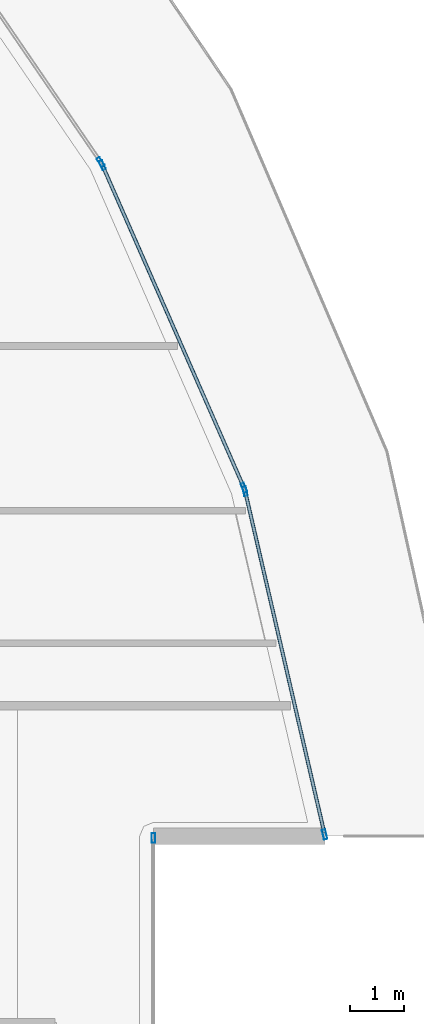
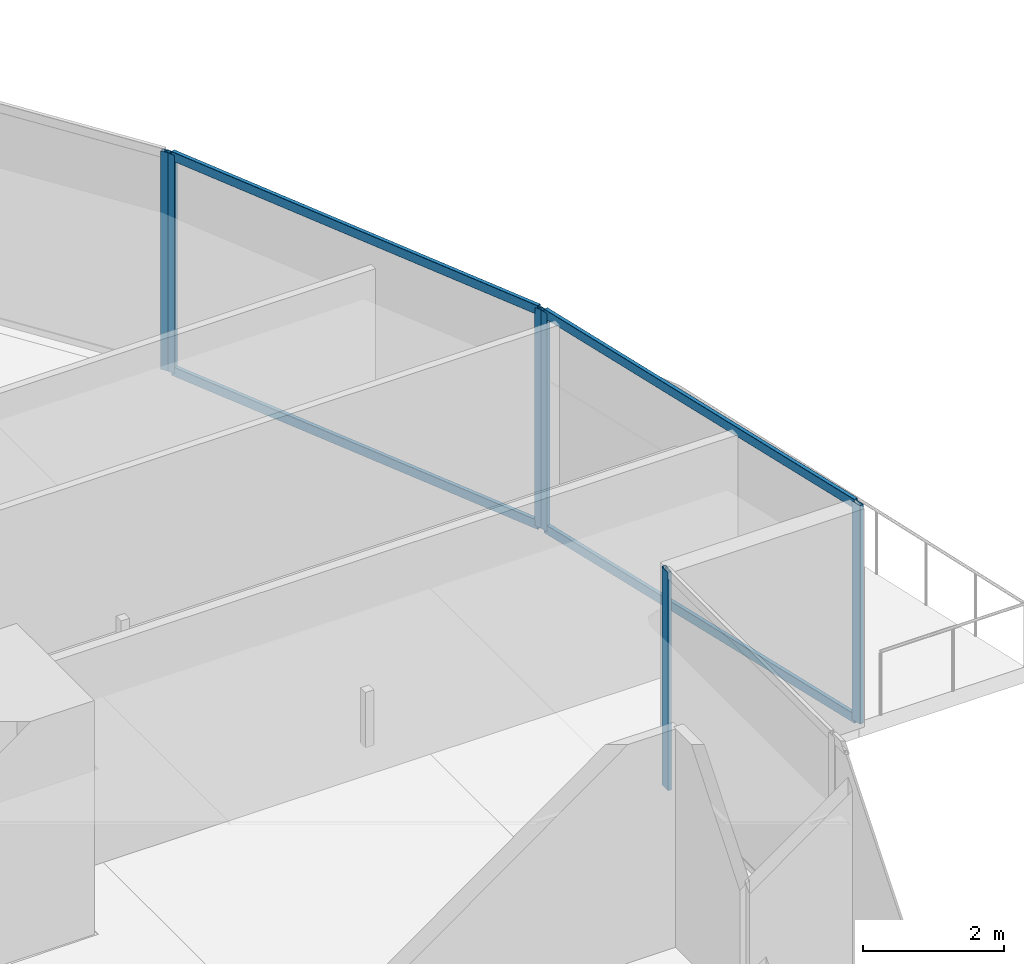
# One storey, part 20 of 39: 10 members, 4 elements without a shape of their own.
"""IFC4 building model written with IfcOpenShell, lengths in metres."""

from ifc_helpers import new_model, si_unit, direction, frame, origin, origin_2d, place, context, subcontext, project, spatial, hollow_rectangle, extrude, material, layer, layer_set, material_profile, profile_set, type_object, element, aggregate, save


model = new_model("IFC4")

# Units and contexts
model_context = context("Model", 3, precision=1e-05, world=origin(), true_north=direction((0.0, 1.0)))
body_context = subcontext(model_context, "Body", "Model", "MODEL_VIEW")
ifc_project = project(units=[si_unit("LENGTHUNIT", "METRE"), si_unit("AREAUNIT", "SQUARE_METRE"), si_unit("VOLUMEUNIT", "CUBIC_METRE"), si_unit("PLANEANGLEUNIT", "RADIAN"), si_unit("MASSUNIT", "GRAM", prefix="KILO")], contexts=[model_context])

# Site, building, storey
site_placement = place(None, origin())
site = spatial("IfcSite", under=ifc_project, at=site_placement, CompositionType="ELEMENT")
building_placement = place(site_placement, origin())
building = spatial("IfcBuilding", under=site, at=building_placement, Name="Qorvath Tower", CompositionType="ELEMENT")
storey_placement = place(building_placement, frame((0.0, 0.0, 162.449951171875)))
storey = spatial("IfcBuildingStorey", under=building, at=storey_placement, Name="L37", CompositionType="ELEMENT", Elevation=162.449951171875)

# Curtain wall, member
ifc_material_1 = material(Name="Anodised aluminium and triple low-E glass", Category="aluminium")
ifc_layer = layer(ifc_material_1, 0.179931640625)
ifc_layer_set = layer_set([ifc_layer], Name="CW-SYS-3")
curtain_wall_type = type_object("IfcCurtainWallType", Name="CW-SYS-3", PredefinedType="NOTDEFINED", material=ifc_layer_set)
curtain_wall_1_placement = place(storey_placement, origin())
curtain_wall_1 = element("IfcCurtainWall", 1, at=curtain_wall_1_placement, inside=storey, type_object=curtain_wall_type, Name="Curtain Wall CW-3 CW-T-L37-9.1", PredefinedType="NOTDEFINED")
ifc_material_2 = material(Name="Anodised aluminium 6063-T6", Category="aluminium")
ifc_material_profile_1 = material_profile(ifc_material_2, hollow_rectangle(XDim=0.06494140625, YDim=0.179931640625, WallThickness=0.00341796875, InnerFilletRadius=0.00341796875, OuterFilletRadius=0.007080078125, at=origin_2d()), Name="CWM 180x65")
ifc_profile_set_1 = profile_set([ifc_material_profile_1], Name="Anodised aluminium 6063-T6")
member_type_1 = type_object("IfcMemberType", Name="CWM-180", PredefinedType="MULLION", material=ifc_profile_set_1)
member_1_placement = place(storey_placement, frame((0.077880859375, 4.719482421875, 0.0), z_axis=(0.0, 0.0, 1.0), x_axis=(-1.0, 0.0, 0.0)))
member_1 = element("IfcMember", 2, at=member_1_placement, type_object=member_type_1, Name="CW-3 mullion 3", PredefinedType="MULLION", context=body_context, shape_type="SweptSolid", body=[
    extrude(hollow_rectangle(XDim=0.06494140625, YDim=0.179931640625, WallThickness=0.00341796875, InnerFilletRadius=0.00341796875, OuterFilletRadius=0.007080078125, at=origin_2d()), origin(), (0.0, 0.0, 1.0), 3.780029296875),
])
aggregate(curtain_wall_1, [member_1])

# Curtain wall, members
curtain_wall_2_placement = place(storey_placement, origin())
curtain_wall_2 = element("IfcCurtainWall", 3, at=curtain_wall_2_placement, inside=storey, type_object=curtain_wall_type, Name="Curtain Wall CW-3 CW-T-L37-11.1", PredefinedType="NOTDEFINED")
member_2_placement = place(storey_placement, frame((3.23876953125, 4.78369140625, 0.0), z_axis=(0.0, 0.0, 1.0), x_axis=(-0.974183272316, -0.225758614319, 0.0)))
member_2 = element("IfcMember", 4, at=member_2_placement, type_object=member_type_1, Name="CW-3 mullion 1", PredefinedType="MULLION", context=body_context, shape_type="SweptSolid", body=[
    extrude(hollow_rectangle(XDim=0.06494140625, YDim=0.179931640625, WallThickness=0.00341796875, InnerFilletRadius=0.00341796875, OuterFilletRadius=0.007080078125, at=origin_2d()), origin(), (0.0, 0.0, 1.0), 3.780029296875),
])
member_3_placement = place(storey_placement, frame((1.77001953125, 11.121337890625, 0.0), z_axis=(0.0, 0.0, 1.0), x_axis=(-0.974183272316, -0.225758614319, 0.0)))
member_3 = element("IfcMember", 5, at=member_3_placement, type_object=member_type_1, Name="CW-3 mullion 2", PredefinedType="MULLION", context=body_context, shape_type="SweptSolid", body=[
    extrude(hollow_rectangle(XDim=0.06494140625, YDim=0.179931640625, WallThickness=0.00341796875, InnerFilletRadius=0.00341796875, OuterFilletRadius=0.007080078125, at=origin_2d()), origin(), (0.0, 0.0, 1.0), 3.780029296875),
])

curtain_wall_3_placement = place(storey_placement, origin())
curtain_wall_3 = element("IfcCurtainWall", 6, at=curtain_wall_3_placement, inside=storey, type_object=curtain_wall_type, Name="Curtain Wall CW-3 CW-T-L37-12.1", PredefinedType="NOTDEFINED")
member_4_placement = place(storey_placement, frame((1.749755859375, 11.182861328125, 0.0), z_axis=(0.0, 0.0, 1.0), x_axis=(-0.915662747354, -0.401947425802, 0.0)))
member_4 = element("IfcMember", 7, at=member_4_placement, type_object=member_type_1, Name="CW-3 mullion 1", PredefinedType="MULLION", context=body_context, shape_type="SweptSolid", body=[
    extrude(hollow_rectangle(XDim=0.06494140625, YDim=0.179931640625, WallThickness=0.00341796875, InnerFilletRadius=0.00341796875, OuterFilletRadius=0.007080078125, at=origin_2d()), origin(), (0.0, 0.0, 1.0), 3.780029296875),
])
member_5_placement = place(storey_placement, frame((-0.865234375, 17.139892578125, 0.0), z_axis=(0.0, 0.0, 1.0), x_axis=(-0.915662747354, -0.401947425802, 0.0)))
member_5 = element("IfcMember", 8, at=member_5_placement, type_object=member_type_1, Name="CW-3 mullion 2", PredefinedType="MULLION", context=body_context, shape_type="SweptSolid", body=[
    extrude(hollow_rectangle(XDim=0.06494140625, YDim=0.179931640625, WallThickness=0.00341796875, InnerFilletRadius=0.00341796875, OuterFilletRadius=0.007080078125, at=origin_2d()), origin(), (0.0, 0.0, 1.0), 3.780029296875),
])

# Curtain wall, member
curtain_wall_4_placement = place(storey_placement, origin())
curtain_wall_4 = element("IfcCurtainWall", 9, at=curtain_wall_4_placement, inside=storey, type_object=curtain_wall_type, Name="Curtain Wall CW-3 CW-T-L37-13.1", PredefinedType="NOTDEFINED")
member_6_placement = place(storey_placement, frame((-0.896728515625, 17.196533203125, 0.0), z_axis=(0.0, 0.0, 1.0), x_axis=(-0.825559911065, -0.564314480802, 0.0)))
member_6 = element("IfcMember", 10, at=member_6_placement, type_object=member_type_1, Name="CW-3 mullion 1", PredefinedType="MULLION", context=body_context, shape_type="SweptSolid", body=[
    extrude(hollow_rectangle(XDim=0.06494140625, YDim=0.179931640625, WallThickness=0.00341796875, InnerFilletRadius=0.00341796875, OuterFilletRadius=0.007080078125, at=origin_2d()), origin(), (0.0, 0.0, 1.0), 3.780029296875),
])
aggregate(curtain_wall_4, [member_6])

# Member
ifc_material_3 = material(Name="Anodised aluminium 6063-T6", Category="aluminium")
ifc_material_profile_2 = material_profile(ifc_material_3, hollow_rectangle(XDim=0.06494140625, YDim=0.159912109375, WallThickness=0.00341796875, InnerFilletRadius=0.00341796875, OuterFilletRadius=0.007080078125, at=origin_2d()), Name="CWT 160x65")
ifc_profile_set_2 = profile_set([ifc_material_profile_2], Name="Anodised aluminium 6063-T6")
member_type_2 = type_object("IfcMemberType", Name="CWT-160", PredefinedType="USERDEFINED", material=ifc_profile_set_2)
member_7_placement = place(storey_placement, frame((3.2314453125, 4.8154296875, 0.032470703125), z_axis=(-0.225767446647, 0.974181225458, 0.0), x_axis=(-0.974181225458, -0.225767446647, 0.0)))
member_7 = element("IfcMember", 11, at=member_7_placement, type_object=member_type_2, Name="CW-3 transom 1.1", ObjectType="TRANSOM", PredefinedType="USERDEFINED", context=body_context, shape_type="SweptSolid", body=[
    extrude(hollow_rectangle(XDim=0.06494140625, YDim=0.159912109375, WallThickness=0.00341796875, InnerFilletRadius=0.00341796875, OuterFilletRadius=0.007080078125, at=origin_2d()), origin(), (0.0, 0.0, 1.0), 6.440673828125),
])

member_8_placement = place(storey_placement, frame((3.2314453125, 4.8154296875, 3.74755859375), z_axis=(-0.225767446647, 0.974181225458, 0.0), x_axis=(-0.974181225458, -0.225767446647, 0.0)))
member_8 = element("IfcMember", 12, at=member_8_placement, type_object=member_type_2, Name="CW-3 transom 1.2", ObjectType="TRANSOM", PredefinedType="USERDEFINED", context=body_context, shape_type="SweptSolid", body=[
    extrude(hollow_rectangle(XDim=0.06494140625, YDim=0.159912109375, WallThickness=0.00341796875, InnerFilletRadius=0.00341796875, OuterFilletRadius=0.007080078125, at=origin_2d()), origin(), (0.0, 0.0, 1.0), 6.440673828125),
])

aggregate(curtain_wall_2, [member_2, member_3, member_7, member_8])

member_9_placement = place(storey_placement, frame((1.736572265625, 11.212646484375, 0.032470703125), z_axis=(-0.401955955747, 0.915659002926, 0.0), x_axis=(-0.915659002926, -0.401955955747, 0.0)))
member_9 = element("IfcMember", 13, at=member_9_placement, type_object=member_type_2, Name="CW-3 transom 1.1", ObjectType="TRANSOM", PredefinedType="USERDEFINED", context=body_context, shape_type="SweptSolid", body=[
    extrude(hollow_rectangle(XDim=0.06494140625, YDim=0.159912109375, WallThickness=0.00341796875, InnerFilletRadius=0.00341796875, OuterFilletRadius=0.007080078125, at=origin_2d()), origin(), (0.0, 0.0, 1.0), 6.440673828125),
])

member_10_placement = place(storey_placement, frame((1.736572265625, 11.212646484375, 3.74755859375), z_axis=(-0.401955955747, 0.915659002926, 0.0), x_axis=(-0.915659002926, -0.401955955747, 0.0)))
member_10 = element("IfcMember", 14, at=member_10_placement, type_object=member_type_2, Name="CW-3 transom 1.2", ObjectType="TRANSOM", PredefinedType="USERDEFINED", context=body_context, shape_type="SweptSolid", body=[
    extrude(hollow_rectangle(XDim=0.06494140625, YDim=0.159912109375, WallThickness=0.00341796875, InnerFilletRadius=0.00341796875, OuterFilletRadius=0.007080078125, at=origin_2d()), origin(), (0.0, 0.0, 1.0), 6.440673828125),
])

aggregate(curtain_wall_3, [member_4, member_5, member_9, member_10])

save(model, "model.ifc")
